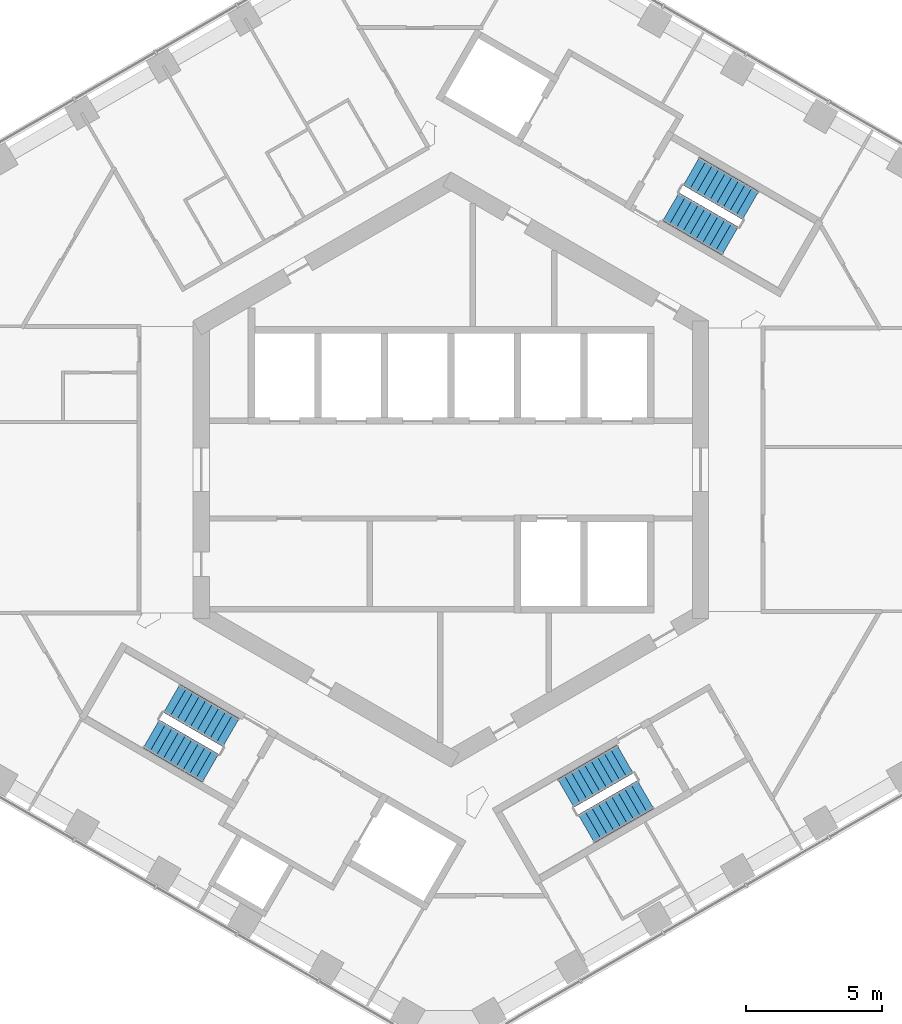
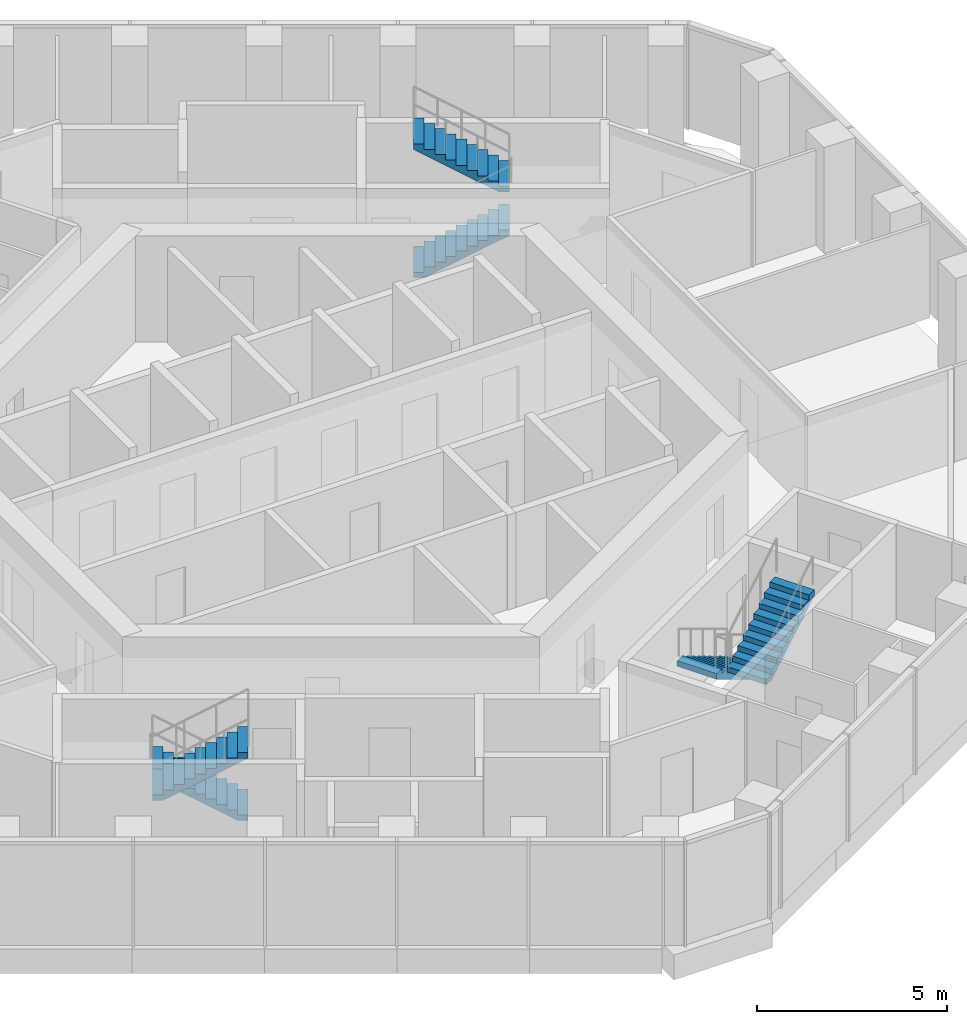
# One storey, part 18 of 19: 6 stair flights, 3 elements without a shape of their own.
"""IFC4 building model written with IfcOpenShell, lengths in metres."""

from ifc_helpers import new_model, si_unit, direction, frame, origin, place, context, subcontext, project, spatial, triangles, material, type_object, element, aggregate, save


model = new_model("IFC4")

# Units and contexts
model_context = context("Model", 3, precision=1e-05, world=origin(), true_north=direction((0.0, 1.0)))
body_context = subcontext(model_context, "Body", "Model", "MODEL_VIEW")
ifc_project = project(units=[si_unit("LENGTHUNIT", "METRE"), si_unit("AREAUNIT", "SQUARE_METRE"), si_unit("VOLUMEUNIT", "CUBIC_METRE"), si_unit("PLANEANGLEUNIT", "RADIAN"), si_unit("MASSUNIT", "GRAM", prefix="KILO")], contexts=[model_context])

# Site, building, storey
site_placement = place(None, origin())
site = spatial("IfcSite", under=ifc_project, at=site_placement, CompositionType="ELEMENT")
building_placement = place(site_placement, origin())
building = spatial("IfcBuilding", under=site, at=building_placement, Name="Ayvan Gate Tower", CompositionType="ELEMENT")
storey_placement = place(building_placement, frame((0.0, 0.0, 156.10009765625)))
storey = spatial("IfcBuildingStorey", under=building, at=storey_placement, Name="L41", CompositionType="ELEMENT", Elevation=156.10009765625)

# Stair, stair flights
ifc_material = material(Name="Concrete C40/50", Category="concrete")
stair_type = type_object("IfcStairType", Name="ST-EXIT", PredefinedType="HALF_TURN_STAIR", material=ifc_material)
stair_1_placement = place(storey_placement, origin())
stair_1 = element("IfcStair", 1, at=stair_1_placement, inside=storey, type_object=stair_type, Name="L41 Exit Stair S1", PredefinedType="HALF_TURN_STAIR")
stair_flight_type = type_object("IfcStairFlightType", Name="SFL-EXIT", PredefinedType="STRAIGHT", material=ifc_material)
stair_flight_1_placement = place(storey_placement, frame((8.106201171875, 9.690185546875, 0.0), z_axis=(0.0, 0.0, 1.0), x_axis=(0.866025403784, -0.5, 0.0)))
stair_flight_1 = element("IfcStairFlight", 2, at=stair_flight_1_placement, type_object=stair_flight_type, Name="STS1 flight 1", NumberOfRisers=10, NumberOfTreads=9, PredefinedType="STRAIGHT", RiserHeight=0.17, TreadLength=0.28, context=body_context, shape_type="Tessellation", body=[
    triangles([(0.288841, -0.599976, 0.0), (2.5205, -0.599976, 1.354936), (2.5205, -0.599976, 1.53), (2.24, -0.599976, 1.53), (2.24, -0.599976, 1.36), (1.96, -0.599976, 1.36), (1.96, -0.599976, 1.19), (1.68, -0.599976, 1.19), (1.68, -0.599976, 1.02), (1.4, -0.599976, 1.02), (1.4, -0.599976, 0.85), (1.12, -0.599976, 0.85), (1.12, -0.599976, 0.68), (0.84, -0.599976, 0.68), (0.84, -0.599976, 0.51), (0.56, -0.599976, 0.51), (0.56, -0.599976, 0.34), (0.28, -0.599976, 0.34), (0.28, -0.599976, 0.17), (-0.0005, -0.599976, 0.17), (-0.0005, -0.599976, 0.0), (0.288841, 0.0, 0.0), (2.5205, 0.0, 1.354936), (2.5205, 0.0, 1.53), (2.24, 0.0, 1.53), (2.24, 0.0, 1.36), (1.96, 0.0, 1.36), (1.96, 0.0, 1.19), (1.68, 0.0, 1.19), (1.68, 0.0, 1.02), (1.4, 0.0, 1.02), (1.4, 0.0, 0.85), (1.12, 0.0, 0.85), (1.12, 0.0, 0.68), (0.84, 0.0, 0.68), (0.84, 0.0, 0.51), (0.56, 0.0, 0.51), (0.56, 0.0, 0.34), (0.28, 0.0, 0.34), (0.28, 0.0, 0.17), (-0.0005, 0.0, 0.17), (-0.0005, 0.0, 0.0), (0.288841, 0.599976, 0.0), (2.5205, 0.599976, 1.354936), (2.5205, 0.599976, 1.53), (2.24, 0.599976, 1.53), (2.24, 0.599976, 1.36), (1.96, 0.599976, 1.36), (1.96, 0.599976, 1.19), (1.68, 0.599976, 1.19), (1.68, 0.599976, 1.02), (1.4, 0.599976, 1.02), (1.4, 0.599976, 0.85), (1.12, 0.599976, 0.85), (1.12, 0.599976, 0.68), (0.84, 0.599976, 0.68), (0.84, 0.599976, 0.51), (0.56, 0.599976, 0.51), (0.56, 0.599976, 0.34), (0.28, 0.599976, 0.34), (0.28, 0.599976, 0.17), (-0.0005, 0.599976, 0.17), (-0.0005, 0.599976, 0.0)], [[21, 1, 2], [63, 44, 43], [2, 3, 4], [44, 46, 45], [2, 4, 5], [44, 47, 46], [2, 5, 6], [44, 48, 47], [2, 6, 7], [44, 49, 48], [7, 8, 9], [49, 51, 50], [2, 7, 9], [44, 51, 49], [9, 10, 11], [51, 53, 52], [2, 9, 11], [44, 53, 51], [11, 12, 13], [53, 55, 54], [2, 11, 13], [44, 55, 53], [13, 14, 15], [55, 57, 56], [2, 13, 15], [44, 57, 55], [15, 16, 17], [57, 59, 58], [2, 15, 17], [44, 59, 57], [17, 18, 19], [59, 61, 60], [2, 17, 19], [44, 61, 59], [21, 2, 19], [63, 61, 44], [19, 20, 21], [61, 63, 62], [1, 22, 23], [1, 23, 2], [43, 23, 22], [43, 44, 23], [2, 23, 24], [2, 24, 3], [44, 24, 23], [44, 45, 24], [3, 24, 25], [3, 25, 4], [45, 25, 24], [45, 46, 25], [4, 25, 26], [4, 26, 5], [46, 26, 25], [46, 47, 26], [5, 26, 27], [5, 27, 6], [47, 27, 26], [47, 48, 27], [6, 27, 28], [6, 28, 7], [48, 28, 27], [48, 49, 28], [7, 28, 29], [7, 29, 8], [49, 29, 28], [49, 50, 29], [8, 29, 30], [8, 30, 9], [50, 30, 29], [50, 51, 30], [9, 30, 31], [9, 31, 10], [51, 31, 30], [51, 52, 31], [10, 31, 32], [10, 32, 11], [52, 32, 31], [52, 53, 32], [11, 32, 33], [11, 33, 12], [53, 33, 32], [53, 54, 33], [12, 33, 34], [12, 34, 13], [54, 34, 33], [54, 55, 34], [13, 34, 35], [13, 35, 14], [55, 35, 34], [55, 56, 35], [14, 35, 36], [14, 36, 15], [56, 36, 35], [56, 57, 36], [15, 36, 37], [15, 37, 16], [57, 37, 36], [57, 58, 37], [16, 37, 38], [16, 38, 17], [58, 38, 37], [58, 59, 38], [17, 38, 39], [17, 39, 18], [59, 39, 38], [59, 60, 39], [18, 39, 40], [18, 40, 19], [60, 40, 39], [60, 61, 40], [19, 40, 41], [19, 41, 20], [61, 41, 40], [61, 62, 41], [20, 41, 42], [20, 42, 21], [62, 42, 41], [62, 63, 42], [21, 42, 22], [21, 22, 1], [63, 22, 42], [63, 43, 22]], closed=True),
])
stair_flight_2_placement = place(storey_placement, frame((11.04345703125, 9.73779296875, 1.699951171875), z_axis=(0.0, 0.0, 1.0), x_axis=(-0.866025403784, 0.5, 0.0)))
stair_flight_2 = element("IfcStairFlight", 3, at=stair_flight_2_placement, type_object=stair_flight_type, Name="STS1 flight 2", NumberOfRisers=10, NumberOfTreads=9, PredefinedType="STRAIGHT", RiserHeight=0.17, TreadLength=0.28, context=body_context, shape_type="Tessellation", body=[
    triangles([(0.288841, -0.599976, 0.0), (2.5205, -0.599976, 1.354936), (2.5205, -0.599976, 1.53), (2.24, -0.599976, 1.53), (2.24, -0.599976, 1.36), (1.96, -0.599976, 1.36), (1.96, -0.599976, 1.19), (1.68, -0.599976, 1.19), (1.68, -0.599976, 1.02), (1.4, -0.599976, 1.02), (1.4, -0.599976, 0.85), (1.12, -0.599976, 0.85), (1.12, -0.599976, 0.68), (0.84, -0.599976, 0.68), (0.84, -0.599976, 0.51), (0.56, -0.599976, 0.51), (0.56, -0.599976, 0.34), (0.28, -0.599976, 0.34), (0.28, -0.599976, 0.17), (-0.0005, -0.599976, 0.17), (-0.0005, -0.599976, 0.0), (0.288841, 0.0, 0.0), (2.5205, 0.0, 1.354936), (2.5205, 0.0, 1.53), (2.24, 0.0, 1.53), (2.24, 0.0, 1.36), (1.96, 0.0, 1.36), (1.96, 0.0, 1.19), (1.68, 0.0, 1.19), (1.68, 0.0, 1.02), (1.4, 0.0, 1.02), (1.4, 0.0, 0.85), (1.12, 0.0, 0.85), (1.12, 0.0, 0.68), (0.84, 0.0, 0.68), (0.84, 0.0, 0.51), (0.56, 0.0, 0.51), (0.56, 0.0, 0.34), (0.28, 0.0, 0.34), (0.28, 0.0, 0.17), (-0.0005, 0.0, 0.17), (-0.0005, 0.0, 0.0), (0.288841, 0.599976, 0.0), (2.5205, 0.599976, 1.354936), (2.5205, 0.599976, 1.53), (2.24, 0.599976, 1.53), (2.24, 0.599976, 1.36), (1.96, 0.599976, 1.36), (1.96, 0.599976, 1.19), (1.68, 0.599976, 1.19), (1.68, 0.599976, 1.02), (1.4, 0.599976, 1.02), (1.4, 0.599976, 0.85), (1.12, 0.599976, 0.85), (1.12, 0.599976, 0.68), (0.84, 0.599976, 0.68), (0.84, 0.599976, 0.51), (0.56, 0.599976, 0.51), (0.56, 0.599976, 0.34), (0.28, 0.599976, 0.34), (0.28, 0.599976, 0.17), (-0.0005, 0.599976, 0.17), (-0.0005, 0.599976, 0.0)], [[21, 1, 2], [63, 44, 43], [2, 3, 4], [44, 46, 45], [2, 4, 5], [44, 47, 46], [2, 5, 6], [44, 48, 47], [2, 6, 7], [44, 49, 48], [7, 8, 9], [49, 51, 50], [2, 7, 9], [44, 51, 49], [9, 10, 11], [51, 53, 52], [2, 9, 11], [44, 53, 51], [11, 12, 13], [53, 55, 54], [2, 11, 13], [44, 55, 53], [13, 14, 15], [55, 57, 56], [2, 13, 15], [44, 57, 55], [15, 16, 17], [57, 59, 58], [2, 15, 17], [44, 59, 57], [17, 18, 19], [59, 61, 60], [2, 17, 19], [44, 61, 59], [21, 2, 19], [63, 61, 44], [19, 20, 21], [61, 63, 62], [1, 22, 23], [1, 23, 2], [43, 23, 22], [43, 44, 23], [2, 23, 24], [2, 24, 3], [44, 24, 23], [44, 45, 24], [3, 24, 25], [3, 25, 4], [45, 25, 24], [45, 46, 25], [4, 25, 26], [4, 26, 5], [46, 26, 25], [46, 47, 26], [5, 26, 27], [5, 27, 6], [47, 27, 26], [47, 48, 27], [6, 27, 28], [6, 28, 7], [48, 28, 27], [48, 49, 28], [7, 28, 29], [7, 29, 8], [49, 29, 28], [49, 50, 29], [8, 29, 30], [8, 30, 9], [50, 30, 29], [50, 51, 30], [9, 30, 31], [9, 31, 10], [51, 31, 30], [51, 52, 31], [10, 31, 32], [10, 32, 11], [52, 32, 31], [52, 53, 32], [11, 32, 33], [11, 33, 12], [53, 33, 32], [53, 54, 33], [12, 33, 34], [12, 34, 13], [54, 34, 33], [54, 55, 34], [13, 34, 35], [13, 35, 14], [55, 35, 34], [55, 56, 35], [14, 35, 36], [14, 36, 15], [56, 36, 35], [56, 57, 36], [15, 36, 37], [15, 37, 16], [57, 37, 36], [57, 58, 37], [16, 37, 38], [16, 38, 17], [58, 38, 37], [58, 59, 38], [17, 38, 39], [17, 39, 18], [59, 39, 38], [59, 60, 39], [18, 39, 40], [18, 40, 19], [60, 40, 39], [60, 61, 40], [19, 40, 41], [19, 41, 20], [61, 41, 40], [61, 62, 41], [20, 41, 42], [20, 42, 21], [62, 42, 41], [62, 63, 42], [21, 42, 22], [21, 22, 1], [63, 22, 42], [63, 43, 22]], closed=True),
])
aggregate(stair_1, [stair_flight_1, stair_flight_2])

stair_2_placement = place(storey_placement, origin())
stair_2 = element("IfcStair", 4, at=stair_2_placement, inside=storey, type_object=stair_type, Name="L41 Exit Stair S2", PredefinedType="HALF_TURN_STAIR")
stair_flight_3_placement = place(storey_placement, frame((-8.106201171875, -9.690185546875, 0.0), z_axis=(0.0, 0.0, 1.0), x_axis=(-0.866025403784, 0.5, 0.0)))
stair_flight_3 = element("IfcStairFlight", 5, at=stair_flight_3_placement, type_object=stair_flight_type, Name="STS2 flight 1", NumberOfRisers=10, NumberOfTreads=9, PredefinedType="STRAIGHT", RiserHeight=0.17, TreadLength=0.28, context=body_context, shape_type="Tessellation", body=[
    triangles([(0.288841, -0.599976, 0.0), (2.5205, -0.599976, 1.354936), (2.5205, -0.599976, 1.53), (2.24, -0.599976, 1.53), (2.24, -0.599976, 1.36), (1.96, -0.599976, 1.36), (1.96, -0.599976, 1.19), (1.68, -0.599976, 1.19), (1.68, -0.599976, 1.02), (1.4, -0.599976, 1.02), (1.4, -0.599976, 0.85), (1.12, -0.599976, 0.85), (1.12, -0.599976, 0.68), (0.84, -0.599976, 0.68), (0.84, -0.599976, 0.51), (0.56, -0.599976, 0.51), (0.56, -0.599976, 0.34), (0.28, -0.599976, 0.34), (0.28, -0.599976, 0.17), (-0.0005, -0.599976, 0.17), (-0.0005, -0.599976, 0.0), (0.288841, 0.0, 0.0), (2.5205, 0.0, 1.354936), (2.5205, 0.0, 1.53), (2.24, 0.0, 1.53), (2.24, 0.0, 1.36), (1.96, 0.0, 1.36), (1.96, 0.0, 1.19), (1.68, 0.0, 1.19), (1.68, 0.0, 1.02), (1.4, 0.0, 1.02), (1.4, 0.0, 0.85), (1.12, 0.0, 0.85), (1.12, 0.0, 0.68), (0.84, 0.0, 0.68), (0.84, 0.0, 0.51), (0.56, 0.0, 0.51), (0.56, 0.0, 0.34), (0.28, 0.0, 0.34), (0.28, 0.0, 0.17), (-0.0005, 0.0, 0.17), (-0.0005, 0.0, 0.0), (0.288841, 0.599976, 0.0), (2.5205, 0.599976, 1.354936), (2.5205, 0.599976, 1.53), (2.24, 0.599976, 1.53), (2.24, 0.599976, 1.36), (1.96, 0.599976, 1.36), (1.96, 0.599976, 1.19), (1.68, 0.599976, 1.19), (1.68, 0.599976, 1.02), (1.4, 0.599976, 1.02), (1.4, 0.599976, 0.85), (1.12, 0.599976, 0.85), (1.12, 0.599976, 0.68), (0.84, 0.599976, 0.68), (0.84, 0.599976, 0.51), (0.56, 0.599976, 0.51), (0.56, 0.599976, 0.34), (0.28, 0.599976, 0.34), (0.28, 0.599976, 0.17), (-0.0005, 0.599976, 0.17), (-0.0005, 0.599976, 0.0)], [[21, 1, 2], [63, 44, 43], [2, 3, 4], [44, 46, 45], [2, 4, 5], [44, 47, 46], [2, 5, 6], [44, 48, 47], [2, 6, 7], [44, 49, 48], [7, 8, 9], [49, 51, 50], [2, 7, 9], [44, 51, 49], [9, 10, 11], [51, 53, 52], [2, 9, 11], [44, 53, 51], [11, 12, 13], [53, 55, 54], [2, 11, 13], [44, 55, 53], [13, 14, 15], [55, 57, 56], [2, 13, 15], [44, 57, 55], [15, 16, 17], [57, 59, 58], [2, 15, 17], [44, 59, 57], [17, 18, 19], [59, 61, 60], [2, 17, 19], [44, 61, 59], [21, 2, 19], [63, 61, 44], [19, 20, 21], [61, 63, 62], [1, 22, 23], [1, 23, 2], [43, 23, 22], [43, 44, 23], [2, 23, 24], [2, 24, 3], [44, 24, 23], [44, 45, 24], [3, 24, 25], [3, 25, 4], [45, 25, 24], [45, 46, 25], [4, 25, 26], [4, 26, 5], [46, 26, 25], [46, 47, 26], [5, 26, 27], [5, 27, 6], [47, 27, 26], [47, 48, 27], [6, 27, 28], [6, 28, 7], [48, 28, 27], [48, 49, 28], [7, 28, 29], [7, 29, 8], [49, 29, 28], [49, 50, 29], [8, 29, 30], [8, 30, 9], [50, 30, 29], [50, 51, 30], [9, 30, 31], [9, 31, 10], [51, 31, 30], [51, 52, 31], [10, 31, 32], [10, 32, 11], [52, 32, 31], [52, 53, 32], [11, 32, 33], [11, 33, 12], [53, 33, 32], [53, 54, 33], [12, 33, 34], [12, 34, 13], [54, 34, 33], [54, 55, 34], [13, 34, 35], [13, 35, 14], [55, 35, 34], [55, 56, 35], [14, 35, 36], [14, 36, 15], [56, 36, 35], [56, 57, 36], [15, 36, 37], [15, 37, 16], [57, 37, 36], [57, 58, 37], [16, 37, 38], [16, 38, 17], [58, 38, 37], [58, 59, 38], [17, 38, 39], [17, 39, 18], [59, 39, 38], [59, 60, 39], [18, 39, 40], [18, 40, 19], [60, 40, 39], [60, 61, 40], [19, 40, 41], [19, 41, 20], [61, 41, 40], [61, 62, 41], [20, 41, 42], [20, 42, 21], [62, 42, 41], [62, 63, 42], [21, 42, 22], [21, 22, 1], [63, 22, 42], [63, 43, 22]], closed=True),
])
stair_flight_4_placement = place(storey_placement, frame((-11.04345703125, -9.73779296875, 1.699951171875), z_axis=(0.0, 0.0, 1.0), x_axis=(0.866025403784, -0.5, 0.0)))
stair_flight_4 = element("IfcStairFlight", 6, at=stair_flight_4_placement, type_object=stair_flight_type, Name="STS2 flight 2", NumberOfRisers=10, NumberOfTreads=9, PredefinedType="STRAIGHT", RiserHeight=0.17, TreadLength=0.28, context=body_context, shape_type="Tessellation", body=[
    triangles([(0.288841, -0.599976, 0.0), (2.5205, -0.599976, 1.354936), (2.5205, -0.599976, 1.53), (2.24, -0.599976, 1.53), (2.24, -0.599976, 1.36), (1.96, -0.599976, 1.36), (1.96, -0.599976, 1.19), (1.68, -0.599976, 1.19), (1.68, -0.599976, 1.02), (1.4, -0.599976, 1.02), (1.4, -0.599976, 0.85), (1.12, -0.599976, 0.85), (1.12, -0.599976, 0.68), (0.84, -0.599976, 0.68), (0.84, -0.599976, 0.51), (0.56, -0.599976, 0.51), (0.56, -0.599976, 0.34), (0.28, -0.599976, 0.34), (0.28, -0.599976, 0.17), (-0.0005, -0.599976, 0.17), (-0.0005, -0.599976, 0.0), (0.288841, 0.0, 0.0), (2.5205, 0.0, 1.354936), (2.5205, 0.0, 1.53), (2.24, 0.0, 1.53), (2.24, 0.0, 1.36), (1.96, 0.0, 1.36), (1.96, 0.0, 1.19), (1.68, 0.0, 1.19), (1.68, 0.0, 1.02), (1.4, 0.0, 1.02), (1.4, 0.0, 0.85), (1.12, 0.0, 0.85), (1.12, 0.0, 0.68), (0.84, 0.0, 0.68), (0.84, 0.0, 0.51), (0.56, 0.0, 0.51), (0.56, 0.0, 0.34), (0.28, 0.0, 0.34), (0.28, 0.0, 0.17), (-0.0005, 0.0, 0.17), (-0.0005, 0.0, 0.0), (0.288841, 0.599976, 0.0), (2.5205, 0.599976, 1.354936), (2.5205, 0.599976, 1.53), (2.24, 0.599976, 1.53), (2.24, 0.599976, 1.36), (1.96, 0.599976, 1.36), (1.96, 0.599976, 1.19), (1.68, 0.599976, 1.19), (1.68, 0.599976, 1.02), (1.4, 0.599976, 1.02), (1.4, 0.599976, 0.85), (1.12, 0.599976, 0.85), (1.12, 0.599976, 0.68), (0.84, 0.599976, 0.68), (0.84, 0.599976, 0.51), (0.56, 0.599976, 0.51), (0.56, 0.599976, 0.34), (0.28, 0.599976, 0.34), (0.28, 0.599976, 0.17), (-0.0005, 0.599976, 0.17), (-0.0005, 0.599976, 0.0)], [[21, 1, 2], [63, 44, 43], [2, 3, 4], [44, 46, 45], [2, 4, 5], [44, 47, 46], [2, 5, 6], [44, 48, 47], [2, 6, 7], [44, 49, 48], [7, 8, 9], [49, 51, 50], [2, 7, 9], [44, 51, 49], [9, 10, 11], [51, 53, 52], [2, 9, 11], [44, 53, 51], [11, 12, 13], [53, 55, 54], [2, 11, 13], [44, 55, 53], [13, 14, 15], [55, 57, 56], [2, 13, 15], [44, 57, 55], [15, 16, 17], [57, 59, 58], [2, 15, 17], [44, 59, 57], [17, 18, 19], [59, 61, 60], [2, 17, 19], [44, 61, 59], [21, 2, 19], [63, 61, 44], [19, 20, 21], [61, 63, 62], [1, 22, 23], [1, 23, 2], [43, 23, 22], [43, 44, 23], [2, 23, 24], [2, 24, 3], [44, 24, 23], [44, 45, 24], [3, 24, 25], [3, 25, 4], [45, 25, 24], [45, 46, 25], [4, 25, 26], [4, 26, 5], [46, 26, 25], [46, 47, 26], [5, 26, 27], [5, 27, 6], [47, 27, 26], [47, 48, 27], [6, 27, 28], [6, 28, 7], [48, 28, 27], [48, 49, 28], [7, 28, 29], [7, 29, 8], [49, 29, 28], [49, 50, 29], [8, 29, 30], [8, 30, 9], [50, 30, 29], [50, 51, 30], [9, 30, 31], [9, 31, 10], [51, 31, 30], [51, 52, 31], [10, 31, 32], [10, 32, 11], [52, 32, 31], [52, 53, 32], [11, 32, 33], [11, 33, 12], [53, 33, 32], [53, 54, 33], [12, 33, 34], [12, 34, 13], [54, 34, 33], [54, 55, 34], [13, 34, 35], [13, 35, 14], [55, 35, 34], [55, 56, 35], [14, 35, 36], [14, 36, 15], [56, 36, 35], [56, 57, 36], [15, 36, 37], [15, 37, 16], [57, 37, 36], [57, 58, 37], [16, 37, 38], [16, 38, 17], [58, 38, 37], [58, 59, 38], [17, 38, 39], [17, 39, 18], [59, 39, 38], [59, 60, 39], [18, 39, 40], [18, 40, 19], [60, 40, 39], [60, 61, 40], [19, 40, 41], [19, 41, 20], [61, 41, 40], [61, 62, 41], [20, 41, 42], [20, 42, 21], [62, 42, 41], [62, 63, 42], [21, 42, 22], [21, 22, 1], [63, 22, 42], [63, 43, 22]], closed=True),
])
aggregate(stair_2, [stair_flight_3, stair_flight_4])

stair_3_placement = place(storey_placement, origin())
stair_3 = element("IfcStair", 7, at=stair_3_placement, inside=storey, type_object=stair_type, Name="L41 Exit Stair S3", PredefinedType="HALF_TURN_STAIR")
stair_flight_5_placement = place(storey_placement, frame((6.417236328125, -10.665283203125, 0.0), z_axis=(0.0, 0.0, 1.0), x_axis=(-0.866025403784, -0.5, 0.0)))
stair_flight_5 = element("IfcStairFlight", 8, at=stair_flight_5_placement, type_object=stair_flight_type, Name="STS3 flight 1", NumberOfRisers=10, NumberOfTreads=9, PredefinedType="STRAIGHT", RiserHeight=0.17, TreadLength=0.28, context=body_context, shape_type="Tessellation", body=[
    triangles([(0.288841, -0.599976, 0.0), (2.5205, -0.599976, 1.354936), (2.5205, -0.599976, 1.53), (2.24, -0.599976, 1.53), (2.24, -0.599976, 1.36), (1.96, -0.599976, 1.36), (1.96, -0.599976, 1.19), (1.68, -0.599976, 1.19), (1.68, -0.599976, 1.02), (1.4, -0.599976, 1.02), (1.4, -0.599976, 0.85), (1.12, -0.599976, 0.85), (1.12, -0.599976, 0.68), (0.84, -0.599976, 0.68), (0.84, -0.599976, 0.51), (0.56, -0.599976, 0.51), (0.56, -0.599976, 0.34), (0.28, -0.599976, 0.34), (0.28, -0.599976, 0.17), (-0.0005, -0.599976, 0.17), (-0.0005, -0.599976, 0.0), (0.288841, 0.0, 0.0), (2.5205, 0.0, 1.354936), (2.5205, 0.0, 1.53), (2.24, 0.0, 1.53), (2.24, 0.0, 1.36), (1.96, 0.0, 1.36), (1.96, 0.0, 1.19), (1.68, 0.0, 1.19), (1.68, 0.0, 1.02), (1.4, 0.0, 1.02), (1.4, 0.0, 0.85), (1.12, 0.0, 0.85), (1.12, 0.0, 0.68), (0.84, 0.0, 0.68), (0.84, 0.0, 0.51), (0.56, 0.0, 0.51), (0.56, 0.0, 0.34), (0.28, 0.0, 0.34), (0.28, 0.0, 0.17), (-0.0005, 0.0, 0.17), (-0.0005, 0.0, 0.0), (0.288841, 0.599976, 0.0), (2.5205, 0.599976, 1.354936), (2.5205, 0.599976, 1.53), (2.24, 0.599976, 1.53), (2.24, 0.599976, 1.36), (1.96, 0.599976, 1.36), (1.96, 0.599976, 1.19), (1.68, 0.599976, 1.19), (1.68, 0.599976, 1.02), (1.4, 0.599976, 1.02), (1.4, 0.599976, 0.85), (1.12, 0.599976, 0.85), (1.12, 0.599976, 0.68), (0.84, 0.599976, 0.68), (0.84, 0.599976, 0.51), (0.56, 0.599976, 0.51), (0.56, 0.599976, 0.34), (0.28, 0.599976, 0.34), (0.28, 0.599976, 0.17), (-0.0005, 0.599976, 0.17), (-0.0005, 0.599976, 0.0)], [[21, 1, 2], [63, 44, 43], [2, 3, 4], [44, 46, 45], [2, 4, 5], [44, 47, 46], [2, 5, 6], [44, 48, 47], [2, 6, 7], [44, 49, 48], [7, 8, 9], [49, 51, 50], [2, 7, 9], [44, 51, 49], [9, 10, 11], [51, 53, 52], [2, 9, 11], [44, 53, 51], [11, 12, 13], [53, 55, 54], [2, 11, 13], [44, 55, 53], [13, 14, 15], [55, 57, 56], [2, 13, 15], [44, 57, 55], [15, 16, 17], [57, 59, 58], [2, 15, 17], [44, 59, 57], [17, 18, 19], [59, 61, 60], [2, 17, 19], [44, 61, 59], [21, 2, 19], [63, 61, 44], [19, 20, 21], [61, 63, 62], [1, 22, 23], [1, 23, 2], [43, 23, 22], [43, 44, 23], [2, 23, 24], [2, 24, 3], [44, 24, 23], [44, 45, 24], [3, 24, 25], [3, 25, 4], [45, 25, 24], [45, 46, 25], [4, 25, 26], [4, 26, 5], [46, 26, 25], [46, 47, 26], [5, 26, 27], [5, 27, 6], [47, 27, 26], [47, 48, 27], [6, 27, 28], [6, 28, 7], [48, 28, 27], [48, 49, 28], [7, 28, 29], [7, 29, 8], [49, 29, 28], [49, 50, 29], [8, 29, 30], [8, 30, 9], [50, 30, 29], [50, 51, 30], [9, 30, 31], [9, 31, 10], [51, 31, 30], [51, 52, 31], [10, 31, 32], [10, 32, 11], [52, 32, 31], [52, 53, 32], [11, 32, 33], [11, 33, 12], [53, 33, 32], [53, 54, 33], [12, 33, 34], [12, 34, 13], [54, 34, 33], [54, 55, 34], [13, 34, 35], [13, 35, 14], [55, 35, 34], [55, 56, 35], [14, 35, 36], [14, 36, 15], [56, 36, 35], [56, 57, 36], [15, 36, 37], [15, 37, 16], [57, 37, 36], [57, 58, 37], [16, 37, 38], [16, 38, 17], [58, 38, 37], [58, 59, 38], [17, 38, 39], [17, 39, 18], [59, 39, 38], [59, 60, 39], [18, 39, 40], [18, 40, 19], [60, 40, 39], [60, 61, 40], [19, 40, 41], [19, 41, 20], [61, 41, 40], [61, 62, 41], [20, 41, 42], [20, 42, 21], [62, 42, 41], [62, 63, 42], [21, 42, 22], [21, 22, 1], [63, 22, 42], [63, 43, 22]], closed=True),
])
stair_flight_6_placement = place(storey_placement, frame((4.989990234375, -13.23291015625, 1.699951171875), z_axis=(0.0, 0.0, 1.0), x_axis=(0.866025403784, 0.5, 0.0)))
stair_flight_6 = element("IfcStairFlight", 9, at=stair_flight_6_placement, type_object=stair_flight_type, Name="STS3 flight 2", NumberOfRisers=10, NumberOfTreads=9, PredefinedType="STRAIGHT", RiserHeight=0.17, TreadLength=0.28, context=body_context, shape_type="Tessellation", body=[
    triangles([(0.288841, -0.599976, 0.0), (2.5205, -0.599976, 1.354936), (2.5205, -0.599976, 1.53), (2.24, -0.599976, 1.53), (2.24, -0.599976, 1.36), (1.96, -0.599976, 1.36), (1.96, -0.599976, 1.19), (1.68, -0.599976, 1.19), (1.68, -0.599976, 1.02), (1.4, -0.599976, 1.02), (1.4, -0.599976, 0.85), (1.12, -0.599976, 0.85), (1.12, -0.599976, 0.68), (0.84, -0.599976, 0.68), (0.84, -0.599976, 0.51), (0.56, -0.599976, 0.51), (0.56, -0.599976, 0.34), (0.28, -0.599976, 0.34), (0.28, -0.599976, 0.17), (-0.0005, -0.599976, 0.17), (-0.0005, -0.599976, 0.0), (0.288841, 0.0, 0.0), (2.5205, 0.0, 1.354936), (2.5205, 0.0, 1.53), (2.24, 0.0, 1.53), (2.24, 0.0, 1.36), (1.96, 0.0, 1.36), (1.96, 0.0, 1.19), (1.68, 0.0, 1.19), (1.68, 0.0, 1.02), (1.4, 0.0, 1.02), (1.4, 0.0, 0.85), (1.12, 0.0, 0.85), (1.12, 0.0, 0.68), (0.84, 0.0, 0.68), (0.84, 0.0, 0.51), (0.56, 0.0, 0.51), (0.56, 0.0, 0.34), (0.28, 0.0, 0.34), (0.28, 0.0, 0.17), (-0.0005, 0.0, 0.17), (-0.0005, 0.0, 0.0), (0.288841, 0.599976, 0.0), (2.5205, 0.599976, 1.354936), (2.5205, 0.599976, 1.53), (2.24, 0.599976, 1.53), (2.24, 0.599976, 1.36), (1.96, 0.599976, 1.36), (1.96, 0.599976, 1.19), (1.68, 0.599976, 1.19), (1.68, 0.599976, 1.02), (1.4, 0.599976, 1.02), (1.4, 0.599976, 0.85), (1.12, 0.599976, 0.85), (1.12, 0.599976, 0.68), (0.84, 0.599976, 0.68), (0.84, 0.599976, 0.51), (0.56, 0.599976, 0.51), (0.56, 0.599976, 0.34), (0.28, 0.599976, 0.34), (0.28, 0.599976, 0.17), (-0.0005, 0.599976, 0.17), (-0.0005, 0.599976, 0.0)], [[21, 1, 2], [63, 44, 43], [2, 3, 4], [44, 46, 45], [2, 4, 5], [44, 47, 46], [2, 5, 6], [44, 48, 47], [2, 6, 7], [44, 49, 48], [7, 8, 9], [49, 51, 50], [2, 7, 9], [44, 51, 49], [9, 10, 11], [51, 53, 52], [2, 9, 11], [44, 53, 51], [11, 12, 13], [53, 55, 54], [2, 11, 13], [44, 55, 53], [13, 14, 15], [55, 57, 56], [2, 13, 15], [44, 57, 55], [15, 16, 17], [57, 59, 58], [2, 15, 17], [44, 59, 57], [17, 18, 19], [59, 61, 60], [2, 17, 19], [44, 61, 59], [21, 2, 19], [63, 61, 44], [19, 20, 21], [61, 63, 62], [1, 22, 23], [1, 23, 2], [43, 23, 22], [43, 44, 23], [2, 23, 24], [2, 24, 3], [44, 24, 23], [44, 45, 24], [3, 24, 25], [3, 25, 4], [45, 25, 24], [45, 46, 25], [4, 25, 26], [4, 26, 5], [46, 26, 25], [46, 47, 26], [5, 26, 27], [5, 27, 6], [47, 27, 26], [47, 48, 27], [6, 27, 28], [6, 28, 7], [48, 28, 27], [48, 49, 28], [7, 28, 29], [7, 29, 8], [49, 29, 28], [49, 50, 29], [8, 29, 30], [8, 30, 9], [50, 30, 29], [50, 51, 30], [9, 30, 31], [9, 31, 10], [51, 31, 30], [51, 52, 31], [10, 31, 32], [10, 32, 11], [52, 32, 31], [52, 53, 32], [11, 32, 33], [11, 33, 12], [53, 33, 32], [53, 54, 33], [12, 33, 34], [12, 34, 13], [54, 34, 33], [54, 55, 34], [13, 34, 35], [13, 35, 14], [55, 35, 34], [55, 56, 35], [14, 35, 36], [14, 36, 15], [56, 36, 35], [56, 57, 36], [15, 36, 37], [15, 37, 16], [57, 37, 36], [57, 58, 37], [16, 37, 38], [16, 38, 17], [58, 38, 37], [58, 59, 38], [17, 38, 39], [17, 39, 18], [59, 39, 38], [59, 60, 39], [18, 39, 40], [18, 40, 19], [60, 40, 39], [60, 61, 40], [19, 40, 41], [19, 41, 20], [61, 41, 40], [61, 62, 41], [20, 41, 42], [20, 42, 21], [62, 42, 41], [62, 63, 42], [21, 42, 22], [21, 22, 1], [63, 22, 42], [63, 43, 22]], closed=True),
])
aggregate(stair_3, [stair_flight_5, stair_flight_6])

save(model, "model.ifc")
